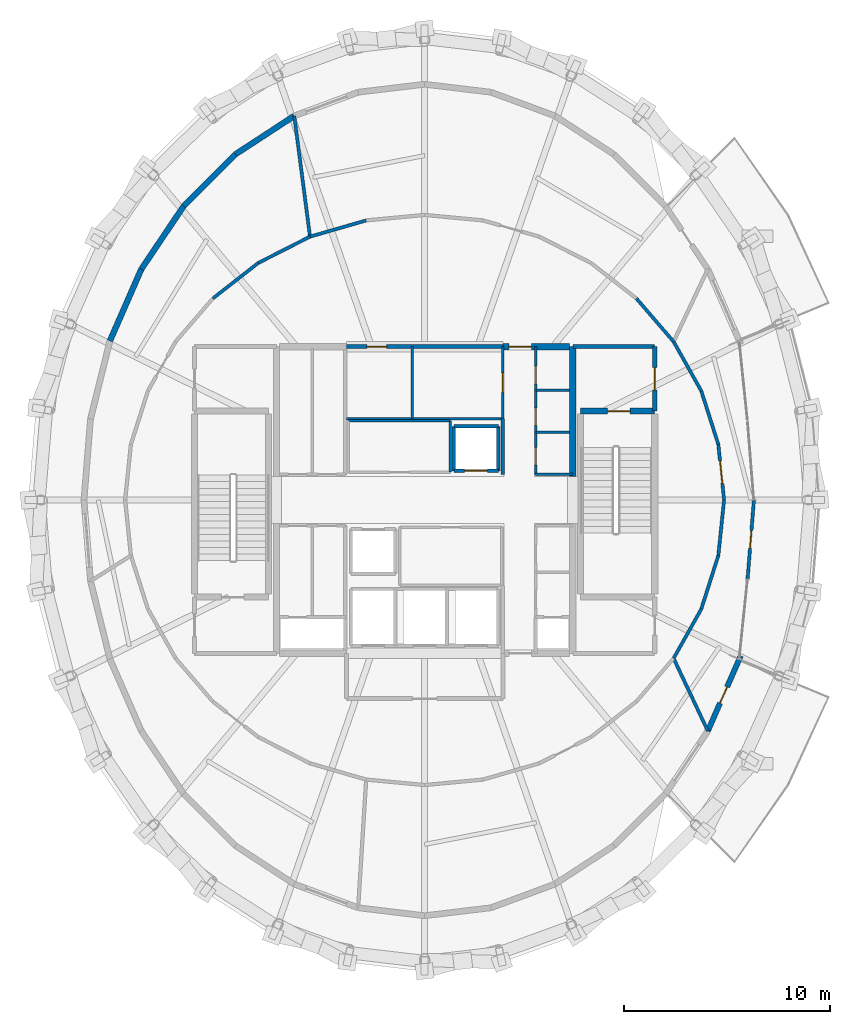
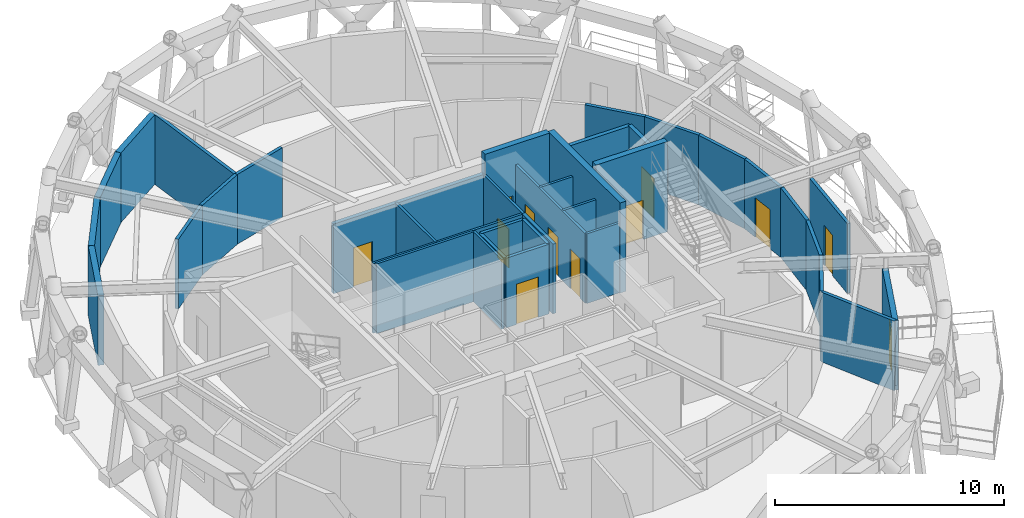
# One storey, part 9 of 11: 38 walls, 12 doors, 12 openings.
"""IFC4 building model written with IfcOpenShell, lengths in metres."""

from ifc_helpers import new_model, si_unit, direction, frame, frame_2d, origin, place, context, subcontext, project, spatial, rectangle, extrude, material, layer, layer_set, type_object, element, fill, save


model = new_model("IFC4")

# Units and contexts
model_context = context("Model", 3, precision=1e-05, world=origin(), true_north=direction((0.0, 1.0)))
body_context = subcontext(model_context, "Body", "Model", "MODEL_VIEW")
ifc_project = project(units=[si_unit("LENGTHUNIT", "METRE"), si_unit("AREAUNIT", "SQUARE_METRE"), si_unit("VOLUMEUNIT", "CUBIC_METRE"), si_unit("PLANEANGLEUNIT", "RADIAN"), si_unit("MASSUNIT", "GRAM", prefix="KILO")], contexts=[model_context])

# Site, building, storey
site_placement = place(None, origin())
site = spatial("IfcSite", under=ifc_project, at=site_placement, CompositionType="ELEMENT")
building_placement = place(site_placement, origin())
building = spatial("IfcBuilding", under=site, at=building_placement, Name="Veldorina Hangang Commons", CompositionType="ELEMENT")
storey_placement = place(building_placement, frame((0.0, 0.0, 297.60009765625)))
storey = spatial("IfcBuildingStorey", under=building, at=storey_placement, Name="L78", CompositionType="ELEMENT", Elevation=297.60009765625)

# Wall
ifc_material_1 = material(Name="Concrete C50/60", Category="concrete")
ifc_layer_1 = layer(ifc_material_1, 0.300048828125)
ifc_layer_set_1 = layer_set([ifc_layer_1], Name="Concrete C50/60")
wall_type_1 = type_object("IfcWallType", Name="CW-RC300-C50", PredefinedType="SHEAR", material=ifc_layer_set_1)
wall_1_placement = place(storey_placement, frame((39.199951171875, 25.14990234375, 0.0), z_axis=(0.0, 0.0, 1.0), x_axis=(0.0, 1.0, 0.0)))
element("IfcWall", 1, at=wall_1_placement, inside=storey, type_object=wall_type_1, Name="L78 E north core shear wall", PredefinedType="SHEAR", context=body_context, shape_type="SweptSolid", body=[
    extrude(rectangle(XDim=6.300048828125, YDim=0.300048828125, at=frame_2d((3.14990234375, 0.0))), origin(), (0.0, 0.0, 1.0), 4.7998046875),
])

# Wall, opening, door
wall_2_placement = place(storey_placement, frame((35.800048828125, 31.449951171875, 0.0), z_axis=(0.0, 0.0, 1.0), x_axis=(1.0, 0.0, 0.0)))
wall_2 = element("IfcWall", 2, at=wall_2_placement, inside=storey, type_object=wall_type_1, Name="L78 north-east core shear wall", PredefinedType="SHEAR", context=body_context, shape_type="SweptSolid", body=[
    extrude(rectangle(XDim=3.25, YDim=0.300048828125, at=frame_2d((1.625, 0.0))), origin(), (0.0, 0.0, 1.0), 4.7998046875),
])
opening_1_placement = place(wall_2_placement, frame((0.300048828125, 0.0, 0.0)))
opening_1 = element("IfcOpeningElement", 3, at=opening_1_placement, cuts=wall_2, Name="Opening D-08", PredefinedType="OPENING", context=body_context, shape_type="SweptSolid", body=[
    extrude(rectangle(XDim=1.10009765625, YDim=2.10009765625, at=frame_2d((0.550048828125, 1.050048828125))), frame((0.0, 0.16015625, 0.0), z_axis=(0.0, -1.0, 0.0), x_axis=(1.0, 0.0, 0.0)), (0.0, 0.0, 1.0), 0.320068359375),
])
ifc_material_2 = material(Name="Steel Fire-Rated Smoke Seal", Category="steel")
door_type_1 = type_object("IfcDoorType", Name="DR-FIRE-1100", OperationType="SINGLE_SWING_RIGHT", PredefinedType="DOOR", material=ifc_material_2)
door_1_placement = place(opening_1_placement, origin())
door_1 = element("IfcDoor", 4, at=door_1_placement, inside=storey, type_object=door_type_1, Name="L78 central lift lobby north corridor door", OperationType="SINGLE_SWING_LEFT", OverallHeight=2.10009765625, OverallWidth=1.10009765625, PredefinedType="DOOR", context=body_context, shape_type="SweptSolid", body=[
    extrude(rectangle(XDim=1.10009765625, YDim=2.10009765625, at=frame_2d((0.550048828125, 1.050048828125))), frame((0.0, 0.02490234375, 0.0), z_axis=(0.0, -1.0, 0.0), x_axis=(1.0, 0.0, 0.0)), (0.0, 0.0, 1.0), 0.050048828125),
])
fill(opening_1, door_1)

ifc_material_3 = material(Name="Stone Roman Travertine", Category="masonry")
ifc_layer_2 = layer(ifc_material_3, 0.260009765625)
ifc_layer_set_2 = layer_set([ifc_layer_2], Name="Stone Roman Travertine")
wall_type_2 = type_object("IfcWallType", Name="EW-LOGGIA-260", PredefinedType="STANDARD", material=ifc_layer_set_2)
wall_3_placement = place(storey_placement, frame((45.7607421875, 12.777587890625, 0.0), z_axis=(0.0, 0.0, 1.0), x_axis=(0.401188310362, 0.915995600224, 0.0)))
wall_3 = element("IfcWall", 5, at=wall_3_placement, inside=storey, type_object=wall_type_2, Name="L78 sky-garden loggia portal wall 29", PredefinedType="STANDARD", context=body_context, shape_type="SweptSolid", body=[
    extrude(rectangle(XDim=3.98583984375, YDim=0.260009765625, at=frame_2d((1.992919921875, 0.0))), origin(), (0.0, 0.0, 1.0), 3.7099609375),
])
opening_2_placement = place(wall_3_placement, frame((1.476318359375, 0.0, 0.0)))
opening_2 = element("IfcOpeningElement", 6, at=opening_2_placement, cuts=wall_3, Name="Opening BD-860", PredefinedType="OPENING", context=body_context, shape_type="SweptSolid", body=[
    extrude(rectangle(XDim=0.860107421875, YDim=2.14990234375, at=frame_2d((0.43017578125, 1.074951171875))), frame((0.0, 0.14013671875, 0.0), z_axis=(0.0, -1.0, 0.0), x_axis=(1.0, 0.0, 0.0)), (0.0, 0.0, 1.0), 0.280029296875),
])
ifc_material_4 = material(Name="Glass Thermal Aluminium Frame", Category="aluminium")
door_type_2 = type_object("IfcDoorType", Name="DR-EXT-LOG860", OperationType="SINGLE_SWING_LEFT", PredefinedType="DOOR", material=ifc_material_4)
door_2_placement = place(opening_2_placement, origin())
door_2 = element("IfcDoor", 7, at=door_2_placement, inside=storey, type_object=door_type_2, Name="L78 tree balcony glazed exterior door 29", OperationType="SINGLE_SWING_RIGHT", OverallHeight=2.14990234375, OverallWidth=0.860107421875, PredefinedType="DOOR", context=body_context, shape_type="SweptSolid", body=[
    extrude(rectangle(XDim=0.860107421875, YDim=2.14990234375, at=frame_2d((0.43017578125, 1.074951171875))), frame((0.0, 0.02490234375, 0.0), z_axis=(0.0, -1.0, 0.0), x_axis=(1.0, 0.0, 0.0)), (0.0, 0.0, 1.0), 0.050048828125),
])
fill(opening_2, door_2)

wall_4_placement = place(storey_placement, frame((47.692626953125, 20.16650390625, 0.0), z_axis=(0.0, 0.0, 1.0), x_axis=(0.079924364544, 0.996800930955, 0.0)))
wall_4 = element("IfcWall", 8, at=wall_4_placement, inside=storey, type_object=wall_type_2, Name="L78 sky-garden loggia portal wall 31", PredefinedType="STANDARD", context=body_context, shape_type="SweptSolid", body=[
    extrude(rectangle(XDim=3.845703125, YDim=0.159912109375, at=frame_2d((1.9228515625, 0.0))), origin(), (0.0, 0.0, 1.0), 3.7099609375),
])
opening_3_placement = place(wall_4_placement, frame((1.492919921875, 0.0, 0.0)))
opening_3 = element("IfcOpeningElement", 9, at=opening_3_placement, cuts=wall_4, Name="Opening BD-860", PredefinedType="OPENING", context=body_context, shape_type="SweptSolid", body=[
    extrude(rectangle(XDim=0.860107421875, YDim=2.14990234375, at=frame_2d((0.43017578125, 1.074951171875))), frame((0.0, 0.08984375, 0.0), z_axis=(0.0, -1.0, 0.0), x_axis=(1.0, 0.0, 0.0)), (0.0, 0.0, 1.0), 0.179931640625),
])
door_3_placement = place(opening_3_placement, origin())
door_3 = element("IfcDoor", 10, at=door_3_placement, inside=storey, type_object=door_type_2, Name="L78 loggia glazed exterior door 31", OperationType="SINGLE_SWING_RIGHT", OverallHeight=2.14990234375, OverallWidth=0.860107421875, PredefinedType="DOOR", context=body_context, shape_type="SweptSolid", body=[
    extrude(rectangle(XDim=0.860107421875, YDim=2.14990234375, at=frame_2d((0.43017578125, 1.074951171875))), frame((0.0, 0.02490234375, 0.0), z_axis=(0.0, -1.0, 0.0), x_axis=(1.0, 0.0, 0.0)), (0.0, 0.0, 1.0), 0.050048828125),
])
fill(opening_3, door_3)

# Walls
ifc_layer_3 = layer(ifc_material_3, 0.280029296875)
ifc_layer_set_3 = layer_set([ifc_layer_3], Name="Stone Roman Travertine")
wall_type_3 = type_object("IfcWallType", Name="EW-TRAV-280", PredefinedType="STANDARD", material=ifc_layer_set_3)
wall_5_placement = place(storey_placement, frame((25.66650390625, 42.662353515625, 0.0), z_axis=(0.0, 0.0, 1.0), x_axis=(-0.837506795295, -0.546426909875, 0.0)))
element("IfcWall", 11, at=wall_5_placement, inside=storey, type_object=wall_type_3, Name="L78 travertine facade wall 10", PredefinedType="STANDARD", context=body_context, shape_type="SweptSolid", body=[
    extrude(rectangle(XDim=3.416259765625, YDim=0.280029296875, at=frame_2d((1.7080078125, 0.0))), origin(), (0.0, 0.0, 1.0), 3.7099609375),
])
wall_6_placement = place(storey_placement, frame((22.805419921875, 40.795654296875, 0.0), z_axis=(0.0, 0.0, 1.0), x_axis=(-0.706556343152, -0.707656791073, 0.0)))
element("IfcWall", 12, at=wall_6_placement, inside=storey, type_object=wall_type_3, Name="L78 travertine facade wall 11", PredefinedType="STANDARD", context=body_context, shape_type="SweptSolid", body=[
    extrude(rectangle(XDim=3.5498046875, YDim=0.280029296875, at=frame_2d((1.77490234375, 0.0))), origin(), (0.0, 0.0, 1.0), 3.7099609375),
])
wall_7_placement = place(storey_placement, frame((20.29736328125, 38.28369140625, 0.0), z_axis=(0.0, 0.0, 1.0), x_axis=(-0.55793393731, -0.82988536654, 0.0)))
element("IfcWall", 13, at=wall_7_placement, inside=storey, type_object=wall_type_3, Name="L78 travertine facade wall 12", PredefinedType="STANDARD", context=body_context, shape_type="SweptSolid", body=[
    extrude(rectangle(XDim=3.688720703125, YDim=0.280029296875, at=frame_2d((1.84423828125, 0.0))), origin(), (0.0, 0.0, 1.0), 3.7099609375),
])
wall_8_placement = place(storey_placement, frame((18.2392578125, 35.222412109375, 0.0), z_axis=(0.0, 0.0, 1.0), x_axis=(-0.401195046879, -0.91599264973, 0.0)))
element("IfcWall", 14, at=wall_8_placement, inside=storey, type_object=wall_type_3, Name="L78 travertine facade wall 13", PredefinedType="STANDARD", context=body_context, shape_type="SweptSolid", body=[
    extrude(rectangle(XDim=3.8125, YDim=0.280029296875, at=frame_2d((1.90625, 0.0))), origin(), (0.0, 0.0, 1.0), 3.7099609375),
])

# Wall, opening, door
ifc_layer_4 = layer(ifc_material_1, 0.300048828125)
ifc_layer_set_4 = layer_set([ifc_layer_4], Name="Concrete C50/60")
wall_type_4 = type_object("IfcWallType", Name="SW-STAIR-300", PredefinedType="SHEAR", material=ifc_layer_set_4)
wall_9_placement = place(storey_placement, frame((39.580078125, 28.320068359375, 0.0), z_axis=(0.0, 0.0, 1.0), x_axis=(1.0, 0.0, 0.0)))
wall_9 = element("IfcWall", 15, at=wall_9_placement, inside=storey, type_object=wall_type_4, Name="L78 ST2 north stair shear wall", PredefinedType="SHEAR", context=body_context, shape_type="SweptSolid", body=[
    extrude(rectangle(XDim=3.599853515625, YDim=0.300048828125, at=frame_2d((1.7998046875, 0.0))), origin(), (0.0, 0.0, 1.0), 4.7998046875),
])
opening_4_placement = place(wall_9_placement, frame((1.300048828125, 0.0, 0.0)))
opening_4 = element("IfcOpeningElement", 16, at=opening_4_placement, cuts=wall_9, Name="Opening D-08", PredefinedType="OPENING", context=body_context, shape_type="SweptSolid", body=[
    extrude(rectangle(XDim=1.10009765625, YDim=2.10009765625, at=frame_2d((0.550048828125, 1.050048828125))), frame((0.0, 0.16015625, 0.0), z_axis=(0.0, -1.0, 0.0), x_axis=(1.0, 0.0, 0.0)), (0.0, 0.0, 1.0), 0.320068359375),
])
door_4_placement = place(opening_4_placement, origin())
door_4 = element("IfcDoor", 17, at=door_4_placement, inside=storey, type_object=door_type_1, Name="L78 Special Escape Stair ST-2 door", OperationType="SINGLE_SWING_RIGHT", OverallHeight=2.10009765625, OverallWidth=1.10009765625, PredefinedType="DOOR", context=body_context, shape_type="SweptSolid", body=[
    extrude(rectangle(XDim=1.10009765625, YDim=2.10009765625, at=frame_2d((0.550048828125, 1.050048828125))), frame((0.0, 0.02490234375, 0.0), z_axis=(0.0, -1.0, 0.0), x_axis=(1.0, 0.0, 0.0)), (0.0, 0.0, 1.0), 0.050048828125),
])
fill(opening_4, door_4)

# Wall
ifc_material_5 = material(Name="Gypsum Fire-Rated Twin Stud Wall", Category="gypsum")
ifc_layer_5 = layer(ifc_material_5, 0.159912109375)
ifc_layer_set_5 = layer_set([ifc_layer_5], Name="Gypsum Fire-Rated Twin Stud Wall")
wall_type_5 = type_object("IfcWallType", Name="WL-FIRE-160", PredefinedType="SOLIDWALL", material=ifc_layer_set_5)
wall_10_placement = place(storey_placement, frame((35.800048828125, 25.25, 0.0), z_axis=(0.0, 0.0, 1.0), x_axis=(0.0, 1.0, 0.0)))
element("IfcWall", 18, at=wall_10_placement, inside=storey, type_object=wall_type_5, Name="L78 Lift passage NW lower wall 011", PredefinedType="SOLIDWALL", context=body_context, shape_type="SweptSolid", body=[
    extrude(rectangle(XDim=2.699951171875, YDim=0.159912109375, at=frame_2d((1.35009765625, 0.0))), origin(), (0.0, 0.0, 1.0), 3.7099609375),
])

# Wall, opening, door
wall_11_placement = place(storey_placement, frame((33.419921875, 25.419921875, 0.0), z_axis=(0.0, 0.0, 1.0), x_axis=(1.0, 0.0, 0.0)))
wall_11 = element("IfcWall", 19, at=wall_11_placement, inside=storey, type_object=wall_type_5, Name="L78 Mid-high front shaft wall 015", PredefinedType="SOLIDWALL", context=body_context, shape_type="SweptSolid", body=[
    extrude(rectangle(XDim=2.16015625, YDim=0.159912109375, at=frame_2d((1.080078125, 0.0))), origin(), (0.0, 0.0, 1.0), 3.7099609375),
])
opening_5_placement = place(wall_11_placement, frame((0.530029296875, 0.0, 0.0)))
opening_5 = element("IfcOpeningElement", 20, at=opening_5_placement, cuts=wall_11, Name="Opening LD-01", PredefinedType="OPENING", context=body_context, shape_type="SweptSolid", body=[
    extrude(rectangle(XDim=1.10009765625, YDim=2.14990234375, at=frame_2d((0.550048828125, 1.074951171875))), frame((0.0, 0.08984375, 0.0), z_axis=(0.0, -1.0, 0.0), x_axis=(1.0, 0.0, 0.0)), (0.0, 0.0, 1.0), 0.179931640625),
])
ifc_material_6 = material(Name="Stainless Steel Brushed Lift Door", Category="steel")
door_type_3 = type_object("IfcDoorType", Name="DR-LIFT-1100", OperationType="SLIDING_TO_LEFT", PredefinedType="DOOR", material=ifc_material_6)
door_5_placement = place(opening_5_placement, origin())
door_5 = element("IfcDoor", 21, at=door_5_placement, inside=storey, type_object=door_type_3, Name="L78 Lift PL-H1 landing door 006", OperationType="SLIDING_TO_RIGHT", OverallHeight=2.14990234375, OverallWidth=1.10009765625, PredefinedType="DOOR", context=body_context, shape_type="SweptSolid", body=[
    extrude(rectangle(XDim=1.10009765625, YDim=2.14990234375, at=frame_2d((0.550048828125, 1.074951171875))), frame((0.0, 0.02490234375, 0.0), z_axis=(0.0, -1.0, 0.0), x_axis=(1.0, 0.0, 0.0)), (0.0, 0.0, 1.0), 0.050048828125),
])
fill(opening_5, door_5)

# Walls
for number, where, z_axis, x_axis, name in (
    (22, (33.419921875, 27.580078125, 0.0), (0.0, 0.0, 1.0), (1.0, 0.0, 0.0), "L78 Mid-high rear shaft wall 016"),
    (23, (33.419921875, 25.419921875, 0.0), (0.0, 0.0, 1.0), (0.0, 1.0, 0.0), "L78 PL-H1 west shaft wall 017"),
    (24, (35.580078125, 25.419921875, 0.0), (0.0, 0.0, 1.0), (0.0, 1.0, 0.0), "L78 PL-H1 east shaft wall 018"),
):
    element("IfcWall", number, at=place(storey_placement, frame(where, z_axis=z_axis, x_axis=x_axis)), inside=storey, type_object=wall_type_5, Name=name, PredefinedType="SOLIDWALL", context=body_context, shape_type="SweptSolid", body=[
        extrude(rectangle(XDim=2.16015625, YDim=0.159912109375, at=frame_2d((1.080078125, 0.0))), origin(), (0.0, 0.0, 1.0), 3.7099609375),
    ])

# Wall, opening, door
wall_12_placement = place(storey_placement, frame((46.550048828125, 24.0, 0.0), z_axis=(0.0, 0.0, 1.0), x_axis=(-0.102911416913, 0.994690524871, 0.0)))
wall_12 = element("IfcWall", 25, at=wall_12_placement, inside=storey, type_object=wall_type_5, Name="L78 Sky gallery wall 00 056", PredefinedType="SOLIDWALL", context=body_context, shape_type="SweptSolid", body=[
    extrude(rectangle(XDim=2.71630859375, YDim=0.159912109375, at=frame_2d((1.358154296875, 0.0))), origin(), (0.0, 0.0, 1.0), 3.7099609375),
])
opening_6_placement = place(wall_12_placement, frame((0.80810546875, 0.0, 0.0)))
opening_6 = element("IfcOpeningElement", 26, at=opening_6_placement, cuts=wall_12, Name="Opening D-08", PredefinedType="OPENING", context=body_context, shape_type="SweptSolid", body=[
    extrude(rectangle(XDim=1.10009765625, YDim=2.10009765625, at=frame_2d((0.550048828125, 1.050048828125))), frame((0.0, 0.08984375, 0.0), z_axis=(0.0, -1.0, 0.0), x_axis=(1.0, 0.0, 0.0)), (0.0, 0.0, 1.0), 0.179931640625),
])
door_6_placement = place(opening_6_placement, origin())
door_6 = element("IfcDoor", 27, at=door_6_placement, inside=storey, type_object=door_type_1, Name="L78 Summit Sky Lobby Reception entrance door 026", OperationType="SINGLE_SWING_RIGHT", OverallHeight=2.10009765625, OverallWidth=1.10009765625, PredefinedType="DOOR", context=body_context, shape_type="SweptSolid", body=[
    extrude(rectangle(XDim=1.10009765625, YDim=2.10009765625, at=frame_2d((0.550048828125, 1.050048828125))), frame((0.0, 0.02490234375, 0.0), z_axis=(0.0, -1.0, 0.0), x_axis=(1.0, 0.0, 0.0)), (0.0, 0.0, 1.0), 0.050048828125),
])
fill(opening_6, door_6)

# Walls
wall_13_placement = place(storey_placement, frame((46.2705078125, 26.701904296875, 0.0), z_axis=(0.0, 0.0, 1.0), x_axis=(-0.303658118342, 0.952781059407, 0.0)))
element("IfcWall", 28, at=wall_13_placement, inside=storey, type_object=wall_type_5, Name="L78 Sky gallery wall 01 057", PredefinedType="SOLIDWALL", context=body_context, shape_type="SweptSolid", body=[
    extrude(rectangle(XDim=2.72705078125, YDim=0.159912109375, at=frame_2d((1.363525390625, 0.0))), origin(), (0.0, 0.0, 1.0), 3.7099609375),
])
wall_14_placement = place(storey_placement, frame((45.4423828125, 29.30029296875, 0.0), z_axis=(0.0, 0.0, 1.0), x_axis=(-0.48962370511, 0.871933843474, 0.0)))
element("IfcWall", 29, at=wall_14_placement, inside=storey, type_object=wall_type_5, Name="L78 Sky gallery wall 02 058", PredefinedType="SOLIDWALL", context=body_context, shape_type="SweptSolid", body=[
    extrude(rectangle(XDim=2.745849609375, YDim=0.159912109375, at=frame_2d((1.373046875, 0.0))), origin(), (0.0, 0.0, 1.0), 3.7099609375),
])
wall_15_placement = place(storey_placement, frame((44.097900390625, 31.694580078125, 0.0), z_axis=(0.0, 0.0, 1.0), x_axis=(-0.652979703778, 0.757375406555, 0.0)))
element("IfcWall", 30, at=wall_15_placement, inside=storey, type_object=wall_type_5, Name="L78 Sky gallery wall 03 059", PredefinedType="SOLIDWALL", context=body_context, shape_type="SweptSolid", body=[
    extrude(rectangle(XDim=2.771240234375, YDim=0.159912109375, at=frame_2d((1.3857421875, 0.0))), origin(), (0.0, 0.0, 1.0), 3.7099609375),
])
wall_16_placement = place(storey_placement, frame((29.161376953125, 37.583984375, 0.0), z_axis=(0.0, 0.0, 1.0), x_axis=(-0.96073200199, -0.277477963723, 0.0)))
element("IfcWall", 31, at=wall_16_placement, inside=storey, type_object=wall_type_5, Name="L78 Sky gallery wall 09 065", PredefinedType="SOLIDWALL", context=body_context, shape_type="SweptSolid", body=[
    extrude(rectangle(XDim=2.841064453125, YDim=0.159912109375, at=frame_2d((1.42041015625, 0.0))), origin(), (0.0, 0.0, 1.0), 3.7099609375),
])
wall_17_placement = place(storey_placement, frame((26.431884765625, 36.795654296875, 0.0), z_axis=(0.0, 0.0, 1.0), x_axis=(-0.891273737135, -0.453465682817, 0.0)))
element("IfcWall", 32, at=wall_17_placement, inside=storey, type_object=wall_type_5, Name="L78 Sky gallery wall 10 066", PredefinedType="SOLIDWALL", context=body_context, shape_type="SweptSolid", body=[
    extrude(rectangle(XDim=2.822265625, YDim=0.159912109375, at=frame_2d((1.4111328125, 0.0))), origin(), (0.0, 0.0, 1.0), 3.7099609375),
])
wall_18_placement = place(storey_placement, frame((23.91650390625, 35.515869140625, 0.0), z_axis=(0.0, 0.0, 1.0), x_axis=(-0.788044217139, -0.615618641558, 0.0)))
element("IfcWall", 33, at=wall_18_placement, inside=storey, type_object=wall_type_5, Name="L78 Sky gallery wall 11 067", PredefinedType="SOLIDWALL", context=body_context, shape_type="SweptSolid", body=[
    extrude(rectangle(XDim=2.7978515625, YDim=0.159912109375, at=frame_2d((1.39892578125, 0.0))), origin(), (0.0, 0.0, 1.0), 3.7099609375),
])
wall_19_placement = place(storey_placement, frame((44.097900390625, 16.305419921875, 0.0), z_axis=(0.0, 0.0, 1.0), x_axis=(0.48962370511, 0.871933843474, 0.0)))
element("IfcWall", 34, at=wall_19_placement, inside=storey, type_object=wall_type_5, Name="L78 Sky gallery wall 29 085", PredefinedType="SOLIDWALL", context=body_context, shape_type="SweptSolid", body=[
    extrude(rectangle(XDim=2.745849609375, YDim=0.159912109375, at=frame_2d((1.373046875, 0.0))), origin(), (0.0, 0.0, 1.0), 3.7099609375),
])
wall_20_placement = place(storey_placement, frame((45.4423828125, 18.69970703125, 0.0), z_axis=(0.0, 0.0, 1.0), x_axis=(0.303658118342, 0.952781059407, 0.0)))
element("IfcWall", 35, at=wall_20_placement, inside=storey, type_object=wall_type_5, Name="L78 Sky gallery wall 30 086", PredefinedType="SOLIDWALL", context=body_context, shape_type="SweptSolid", body=[
    extrude(rectangle(XDim=2.72705078125, YDim=0.159912109375, at=frame_2d((1.363525390625, 0.0))), origin(), (0.0, 0.0, 1.0), 3.7099609375),
])
wall_21_placement = place(storey_placement, frame((46.2705078125, 21.298095703125, 0.0), z_axis=(0.0, 0.0, 1.0), x_axis=(0.102911416913, 0.994690524871, 0.0)))
element("IfcWall", 36, at=wall_21_placement, inside=storey, type_object=wall_type_5, Name="L78 Sky gallery wall 31 087", PredefinedType="SOLIDWALL", context=body_context, shape_type="SweptSolid", body=[
    extrude(rectangle(XDim=2.71630859375, YDim=0.159912109375, at=frame_2d((1.358154296875, 0.0))), origin(), (0.0, 0.0, 1.0), 3.7099609375),
])
wall_22_placement = place(storey_placement, frame((44.097900390625, 16.305419921875, 0.0), z_axis=(0.0, 0.0, 1.0), x_axis=(0.426360697911, -0.904553235181, 0.0)))
element("IfcWall", 37, at=wall_22_placement, inside=storey, type_object=wall_type_5, Name="L78 Sky lobby radial wall 1 088", PredefinedType="SOLIDWALL", context=body_context, shape_type="SweptSolid", body=[
    extrude(rectangle(XDim=3.900146484375, YDim=0.159912109375, at=frame_2d((1.9501953125, 0.0))), origin(), (0.0, 0.0, 1.0), 3.7099609375),
])
wall_23_placement = place(storey_placement, frame((26.431884765625, 36.795654296875, 0.0), z_axis=(0.0, 0.0, 1.0), x_axis=(-0.129365645752, 0.991596959303, 0.0)))
element("IfcWall", 38, at=wall_23_placement, inside=storey, type_object=wall_type_5, Name="L78 Sky lobby radial wall 3 090", PredefinedType="SOLIDWALL", context=body_context, shape_type="SweptSolid", body=[
    extrude(rectangle(XDim=5.91650390625, YDim=0.159912109375, at=frame_2d((2.958251953125, 0.0))), origin(), (0.0, 0.0, 1.0), 3.7099609375),
])

# Wall, opening, door
ifc_material_7 = material(Name="Concrete Blockwork Fire Wall C30/37", Category="masonry")
ifc_layer_6 = layer(ifc_material_7, 0.199951171875)
ifc_layer_set_6 = layer_set([ifc_layer_6], Name="Concrete Blockwork Fire Wall C30/37")
wall_type_6 = type_object("IfcWallType", Name="WL-FIRE-200", PredefinedType="SOLIDWALL", material=ifc_layer_set_6)
wall_24_placement = place(storey_placement, frame((43.179931640625, 28.320068359375, 0.0), z_axis=(0.0, 0.0, 1.0), x_axis=(0.0, 1.0, 0.0)))
wall_24 = element("IfcWall", 39, at=wall_24_placement, inside=storey, type_object=wall_type_6, Name="L78 East vestibule outer wall 003", PredefinedType="SOLIDWALL", context=body_context, shape_type="SweptSolid", body=[
    extrude(rectangle(XDim=3.1298828125, YDim=0.199951171875, at=frame_2d((1.56494140625, 0.0))), origin(), (0.0, 0.0, 1.0), 3.7099609375),
])
opening_7_placement = place(wall_24_placement, frame((1.014892578125, 0.0, 0.0)))
opening_7 = element("IfcOpeningElement", 40, at=opening_7_placement, cuts=wall_24, Name="Opening D-08", PredefinedType="OPENING", context=body_context, shape_type="SweptSolid", body=[
    extrude(rectangle(XDim=1.10009765625, YDim=2.10009765625, at=frame_2d((0.550048828125, 1.050048828125))), frame((0.0, 0.10986328125, 0.0), z_axis=(0.0, -1.0, 0.0), x_axis=(1.0, 0.0, 0.0)), (0.0, 0.0, 1.0), 0.219970703125),
])
door_7_placement = place(opening_7_placement, origin())
door_7 = element("IfcDoor", 41, at=door_7_placement, inside=storey, type_object=door_type_1, Name="L78 East vestibule east door 002", OperationType="SINGLE_SWING_RIGHT", OverallHeight=2.10009765625, OverallWidth=1.10009765625, PredefinedType="DOOR", context=body_context, shape_type="SweptSolid", body=[
    extrude(rectangle(XDim=1.10009765625, YDim=2.10009765625, at=frame_2d((0.550048828125, 1.050048828125))), frame((0.0, 0.02490234375, 0.0), z_axis=(0.0, -1.0, 0.0), x_axis=(1.0, 0.0, 0.0)), (0.0, 0.0, 1.0), 0.050048828125),
])
fill(opening_7, door_7)

# Wall
wall_25_placement = place(storey_placement, frame((39.199951171875, 31.449951171875, 0.0), z_axis=(0.0, 0.0, 1.0), x_axis=(1.0, 0.0, 0.0)))
element("IfcWall", 42, at=wall_25_placement, inside=storey, type_object=wall_type_6, Name="L78 East vestibule north wall 004", PredefinedType="SOLIDWALL", context=body_context, shape_type="SweptSolid", body=[
    extrude(rectangle(XDim=3.97998046875, YDim=0.199951171875, at=frame_2d((1.989990234375, 0.0))), origin(), (0.0, 0.0, 1.0), 3.7099609375),
])

# Wall, opening, door
wall_26_placement = place(storey_placement, frame((28.199951171875, 31.449951171875, 0.0), z_axis=(0.0, 0.0, 1.0), x_axis=(1.0, 0.0, 0.0)))
wall_26 = element("IfcWall", 43, at=wall_26_placement, inside=storey, type_object=wall_type_6, Name="L78 Merged north core wall 029", PredefinedType="SOLIDWALL", context=body_context, shape_type="SweptSolid", body=[
    extrude(rectangle(XDim=7.60009765625, YDim=0.199951171875, at=frame_2d((3.800048828125, 0.0))), origin(), (0.0, 0.0, 1.0), 3.7099609375),
])
opening_8_placement = place(wall_26_placement, frame((1.0, 0.0, 0.0)))
opening_8 = element("IfcOpeningElement", 44, at=opening_8_placement, cuts=wall_26, Name="Opening D-02", PredefinedType="OPENING", context=body_context, shape_type="SweptSolid", body=[
    extrude(rectangle(XDim=0.949951171875, YDim=2.10009765625, at=frame_2d((0.47509765625, 1.050048828125))), frame((0.0, 0.10986328125, 0.0), z_axis=(0.0, -1.0, 0.0), x_axis=(1.0, 0.0, 0.0)), (0.0, 0.0, 1.0), 0.219970703125),
])
ifc_material_8 = material(Name="Timber Solid Core Acoustic", Category="wood")
door_type_4 = type_object("IfcDoorType", Name="DR-INT-950", OperationType="SINGLE_SWING_LEFT", PredefinedType="DOOR", material=ifc_material_8)
door_8_placement = place(opening_8_placement, origin())
door_8 = element("IfcDoor", 45, at=door_8_placement, inside=storey, type_object=door_type_4, Name="L78 Core study alcove door 011", OperationType="SINGLE_SWING_LEFT", OverallHeight=2.10009765625, OverallWidth=0.949951171875, PredefinedType="DOOR", context=body_context, shape_type="SweptSolid", body=[
    extrude(rectangle(XDim=0.949951171875, YDim=2.10009765625, at=frame_2d((0.47509765625, 1.050048828125))), frame((0.0, 0.02490234375, 0.0), z_axis=(0.0, -1.0, 0.0), x_axis=(1.0, 0.0, 0.0)), (0.0, 0.0, 1.0), 0.050048828125),
])
fill(opening_8, door_8)

# Wall
ifc_material_9 = material(Name="Gypsum Acoustic Stud Partition", Category="gypsum")
ifc_layer_7 = layer(ifc_material_9, 0.1201171875)
ifc_layer_set_7 = layer_set([ifc_layer_7], Name="Gypsum Acoustic Stud Partition")
wall_type_7 = type_object("IfcWallType", Name="WL-PART-120", PredefinedType="PARTITIONING", material=ifc_layer_set_7)
wall_27_placement = place(storey_placement, frame((28.199951171875, 27.949951171875, 0.0), z_axis=(0.0, 0.0, 1.0), x_axis=(1.0, 0.0, 0.0)))
element("IfcWall", 46, at=wall_27_placement, inside=storey, type_object=wall_type_7, Name="L78 Merged north south wall 030", PredefinedType="PARTITIONING", context=body_context, shape_type="SweptSolid", body=[
    extrude(rectangle(XDim=7.60009765625, YDim=0.1201171875, at=frame_2d((3.800048828125, 0.0))), origin(), (0.0, 0.0, 1.0), 3.7099609375),
])

# Wall, opening, door
wall_28_placement = place(storey_placement, frame((35.800048828125, 27.949951171875, 0.0), z_axis=(0.0, 0.0, 1.0), x_axis=(0.0, 1.0, 0.0)))
wall_28 = element("IfcWall", 47, at=wall_28_placement, inside=storey, type_object=wall_type_7, Name="L78 Merged north east wall 031", PredefinedType="PARTITIONING", context=body_context, shape_type="SweptSolid", body=[
    extrude(rectangle(XDim=3.5, YDim=0.1201171875, at=frame_2d((1.75, 0.0))), origin(), (0.0, 0.0, 1.0), 3.7099609375),
])
opening_9_placement = place(wall_28_placement, frame((1.27490234375, 0.0, 0.0)))
opening_9 = element("IfcOpeningElement", 48, at=opening_9_placement, cuts=wall_28, Name="Opening D-02", PredefinedType="OPENING", context=body_context, shape_type="SweptSolid", body=[
    extrude(rectangle(XDim=0.949951171875, YDim=2.10009765625, at=frame_2d((0.47509765625, 1.050048828125))), frame((0.0, 0.070068359375, 0.0), z_axis=(0.0, -1.0, 0.0), x_axis=(1.0, 0.0, 0.0)), (0.0, 0.0, 1.0), 0.14013671875),
])
door_9_placement = place(opening_9_placement, origin())
door_9 = element("IfcDoor", 49, at=door_9_placement, inside=storey, type_object=door_type_4, Name="L78 Core linen store door 012", OperationType="SINGLE_SWING_RIGHT", OverallHeight=2.10009765625, OverallWidth=0.949951171875, PredefinedType="DOOR", context=body_context, shape_type="SweptSolid", body=[
    extrude(rectangle(XDim=0.949951171875, YDim=2.10009765625, at=frame_2d((0.47509765625, 1.050048828125))), frame((0.0, 0.02490234375, 0.0), z_axis=(0.0, -1.0, 0.0), x_axis=(1.0, 0.0, 0.0)), (0.0, 0.0, 1.0), 0.050048828125),
])
fill(opening_9, door_9)

# Walls
wall_29_placement = place(storey_placement, frame((31.39990234375, 27.949951171875, 0.0), z_axis=(0.0, 0.0, 1.0), x_axis=(0.0, 1.0, 0.0)))
element("IfcWall", 50, at=wall_29_placement, inside=storey, type_object=wall_type_7, Name="L78 Merged north split wall 032", PredefinedType="PARTITIONING", context=body_context, shape_type="SweptSolid", body=[
    extrude(rectangle(XDim=3.5, YDim=0.1201171875, at=frame_2d((1.75, 0.0))), origin(), (0.0, 0.0, 1.0), 3.7099609375),
])
wall_30_placement = place(storey_placement, frame((28.300048828125, 27.85009765625, 0.0), z_axis=(0.0, 0.0, 1.0), x_axis=(1.0, 0.0, 0.0)))
element("IfcWall", 51, at=wall_30_placement, inside=storey, type_object=wall_type_7, Name="L78 Merged mid-bank north wall 034", PredefinedType="PARTITIONING", context=body_context, shape_type="SweptSolid", body=[
    extrude(rectangle(XDim=4.949951171875, YDim=0.1201171875, at=frame_2d((2.47509765625, 0.0))), origin(), (0.0, 0.0, 1.0), 3.7099609375),
])
wall_31_placement = place(storey_placement, frame((33.25, 25.35009765625, 0.0), z_axis=(0.0, 0.0, 1.0), x_axis=(0.0, 1.0, 0.0)))
element("IfcWall", 52, at=wall_31_placement, inside=storey, type_object=wall_type_7, Name="L78 Merged mid-bank east wall 036", PredefinedType="PARTITIONING", context=body_context, shape_type="SweptSolid", body=[
    extrude(rectangle(XDim=2.5, YDim=0.1201171875, at=frame_2d((1.25, 0.0))), origin(), (0.0, 0.0, 1.0), 3.7099609375),
])

# Wall, openings, doors
wall_32_placement = place(storey_placement, frame((37.39990234375, 25.25, 0.0), z_axis=(0.0, 0.0, 1.0), x_axis=(0.0, 1.0, 0.0)))
wall_32 = element("IfcWall", 53, at=wall_32_placement, inside=storey, type_object=wall_type_7, Name="L78 NE strip lobby wall 047", PredefinedType="PARTITIONING", context=body_context, shape_type="SweptSolid", body=[
    extrude(rectangle(XDim=6.199951171875, YDim=0.1201171875, at=frame_2d((3.10009765625, 0.0))), origin(), (0.0, 0.0, 1.0), 3.7099609375),
])
opening_10_placement = place(wall_32_placement, frame((0.43994140625, 0.0, 0.0)))
opening_10 = element("IfcOpeningElement", 54, at=opening_10_placement, cuts=wall_32, Name="Opening D-01", PredefinedType="OPENING", context=body_context, shape_type="SweptSolid", body=[
    extrude(rectangle(XDim=0.860107421875, YDim=2.10009765625, at=frame_2d((0.43017578125, 1.050048828125))), frame((0.0, 0.070068359375, 0.0), z_axis=(0.0, -1.0, 0.0), x_axis=(1.0, 0.0, 0.0)), (0.0, 0.0, 1.0), 0.14013671875),
])
opening_11_placement = place(wall_32_placement, frame((2.3701171875, 0.0, 0.0)))
opening_11 = element("IfcOpeningElement", 55, at=opening_11_placement, cuts=wall_32, Name="Opening D-01", PredefinedType="OPENING", context=body_context, shape_type="SweptSolid", body=[
    extrude(rectangle(XDim=0.860107421875, YDim=2.10009765625, at=frame_2d((0.43017578125, 1.050048828125))), frame((0.0, 0.070068359375, 0.0), z_axis=(0.0, -1.0, 0.0), x_axis=(1.0, 0.0, 0.0)), (0.0, 0.0, 1.0), 0.14013671875),
])
opening_12_placement = place(wall_32_placement, frame((4.389892578125, 0.0, 0.0)))
opening_12 = element("IfcOpeningElement", 56, at=opening_12_placement, cuts=wall_32, Name="Opening D-01", PredefinedType="OPENING", context=body_context, shape_type="SweptSolid", body=[
    extrude(rectangle(XDim=0.860107421875, YDim=2.10009765625, at=frame_2d((0.43017578125, 1.050048828125))), frame((0.0, 0.070068359375, 0.0), z_axis=(0.0, -1.0, 0.0), x_axis=(1.0, 0.0, 0.0)), (0.0, 0.0, 1.0), 0.14013671875),
])
ifc_material_10 = material(Name="Timber Moisture-Resistant Core", Category="wood")
door_type_5 = type_object("IfcDoorType", Name="DR-WET-860", OperationType="SINGLE_SWING_LEFT", PredefinedType="DOOR", material=ifc_material_10)
door_10_placement = place(opening_10_placement, origin())
door_10 = element("IfcDoor", 57, at=door_10_placement, inside=storey, type_object=door_type_5, Name="L78 Fiber Riser Closet door 021", OperationType="SINGLE_SWING_LEFT", OverallHeight=2.10009765625, OverallWidth=0.860107421875, PredefinedType="DOOR", context=body_context, shape_type="SweptSolid", body=[
    extrude(rectangle(XDim=0.860107421875, YDim=2.10009765625, at=frame_2d((0.43017578125, 1.050048828125))), frame((0.0, 0.02490234375, 0.0), z_axis=(0.0, -1.0, 0.0), x_axis=(1.0, 0.0, 0.0)), (0.0, 0.0, 1.0), 0.050048828125),
])
fill(opening_10, door_10)
door_11_placement = place(opening_11_placement, origin())
door_11 = element("IfcDoor", 58, at=door_11_placement, inside=storey, type_object=door_type_5, Name="L78 AV Rack Closet door 022", OperationType="SINGLE_SWING_RIGHT", OverallHeight=2.10009765625, OverallWidth=0.860107421875, PredefinedType="DOOR", context=body_context, shape_type="SweptSolid", body=[
    extrude(rectangle(XDim=0.860107421875, YDim=2.10009765625, at=frame_2d((0.43017578125, 1.050048828125))), frame((0.0, 0.02490234375, 0.0), z_axis=(0.0, -1.0, 0.0), x_axis=(1.0, 0.0, 0.0)), (0.0, 0.0, 1.0), 0.050048828125),
])
fill(opening_11, door_11)
door_12_placement = place(opening_12_placement, origin())
door_12 = element("IfcDoor", 59, at=door_12_placement, inside=storey, type_object=door_type_5, Name="L78 Supply Closet door 023", OperationType="SINGLE_SWING_LEFT", OverallHeight=2.10009765625, OverallWidth=0.860107421875, PredefinedType="DOOR", context=body_context, shape_type="SweptSolid", body=[
    extrude(rectangle(XDim=0.860107421875, YDim=2.10009765625, at=frame_2d((0.43017578125, 1.050048828125))), frame((0.0, 0.02490234375, 0.0), z_axis=(0.0, -1.0, 0.0), x_axis=(1.0, 0.0, 0.0)), (0.0, 0.0, 1.0), 0.050048828125),
])
fill(opening_12, door_12)

# Walls
wall_33_placement = place(storey_placement, frame((37.39990234375, 25.25, 0.0), z_axis=(0.0, 0.0, 1.0), x_axis=(1.0, 0.0, 0.0)))
element("IfcWall", 60, at=wall_33_placement, inside=storey, type_object=wall_type_7, Name="L78 NE strip south return wall 048", PredefinedType="PARTITIONING", context=body_context, shape_type="SweptSolid", body=[
    extrude(rectangle(XDim=1.800048828125, YDim=0.1201171875, at=frame_2d((0.89990234375, 0.0))), origin(), (0.0, 0.0, 1.0), 3.7099609375),
])
for number, where, z_axis, x_axis, name in (
    (61, (37.39990234375, 27.300048828125, 0.0), (0.0, 0.0, 1.0), (1.0, 0.0, 0.0), "L78 NE split 1 053"),
    (62, (37.39990234375, 29.330078125, 0.0), (0.0, 0.0, 1.0), (1.0, 0.0, 0.0), "L78 NE split 2 054"),
):
    element("IfcWall", number, at=place(storey_placement, frame(where, z_axis=z_axis, x_axis=x_axis)), inside=storey, type_object=wall_type_7, Name=name, PredefinedType="PARTITIONING", context=body_context, shape_type="SweptSolid", body=[
        extrude(rectangle(XDim=1.650146484375, YDim=0.1201171875, at=frame_2d((0.8251953125, 0.0))), origin(), (0.0, 0.0, 1.0), 3.7099609375),
    ])

save(model, "model.ifc")
